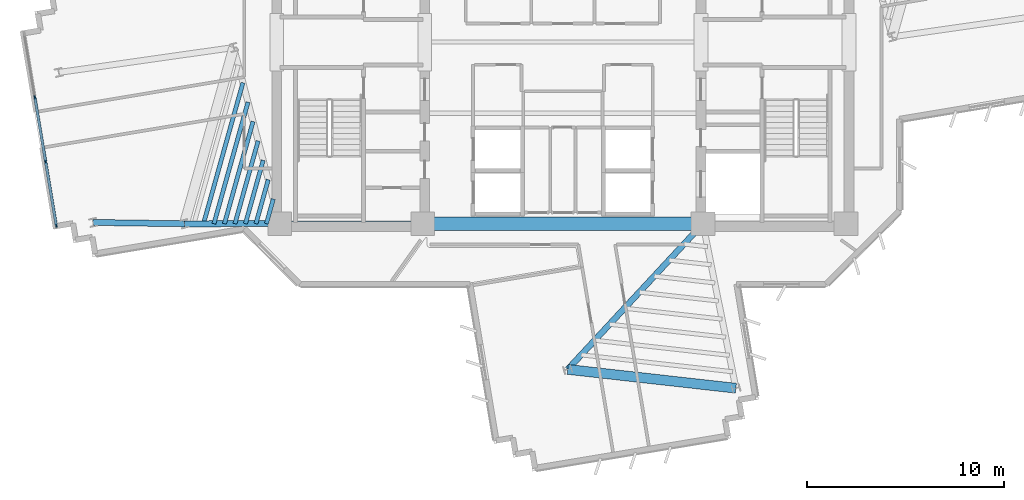
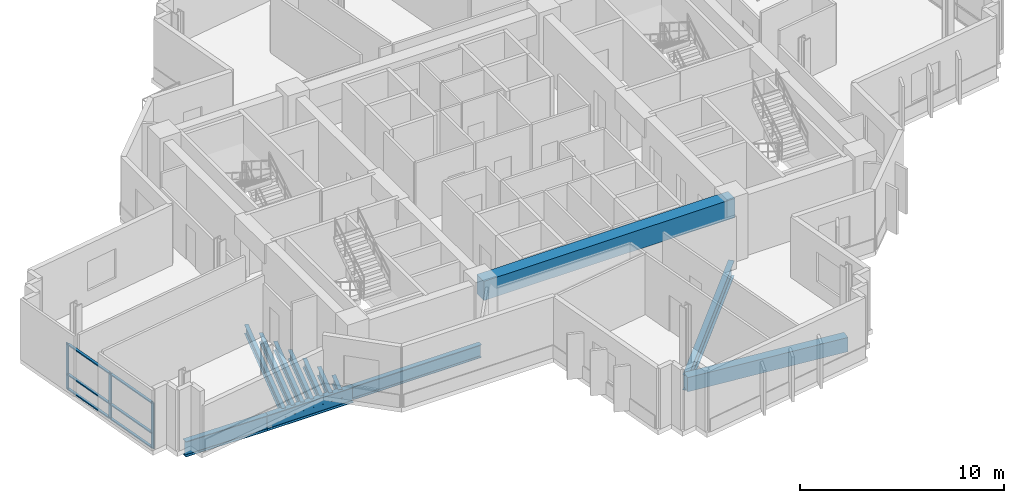
# One storey, part 2 of 15: 13 beams, 9 members, 1 element without a shape of its own.
"""IFC4 building model written with IfcOpenShell, lengths in metres."""

from ifc_helpers import new_model, si_unit, direction, frame, origin, origin_2d, place, context, subcontext, project, spatial, rectangle, i_section, extrude, source, transform, mapped, material, layer, layer_set, material_profile, profile_set, type_object, element, aggregate, save


model = new_model("IFC4")

# Units and contexts
model_context = context("Model", 3, precision=1e-05, world=origin(), true_north=direction((0.0, 1.0)))
body_context = subcontext(model_context, "Body", "Model", "MODEL_VIEW")
ifc_project = project(units=[si_unit("LENGTHUNIT", "METRE"), si_unit("AREAUNIT", "SQUARE_METRE"), si_unit("VOLUMEUNIT", "CUBIC_METRE"), si_unit("PLANEANGLEUNIT", "RADIAN"), si_unit("MASSUNIT", "GRAM", prefix="KILO")], contexts=[model_context])

# Site, building, storey
site_placement = place(None, origin())
site = spatial("IfcSite", under=ifc_project, at=site_placement, CompositionType="ELEMENT")
building_placement = place(site_placement, origin())
building = spatial("IfcBuilding", under=site, at=building_placement, Name="Zahravan Cultural Tower", CompositionType="ELEMENT")
storey_placement = place(building_placement, frame((0.0, 0.0, 143.39990234375)))
storey = spatial("IfcBuildingStorey", under=building, at=storey_placement, Name="L32", CompositionType="ELEMENT", Elevation=143.39990234375)

# Beams
ifc_material_1 = material(Name="Concrete C50/60", Category="concrete")
ifc_material_profile_1 = material_profile(ifc_material_1, rectangle(XDim=0.699951171875, YDim=1.14990234375, at=origin_2d()), Name="RC700X1150")
ifc_profile_set_1 = profile_set([ifc_material_profile_1], Name="Concrete C50/60")
beam_type_1 = type_object("IfcBeamType", Name="BM-LN-RC700X1150", PredefinedType="LINTEL", material=ifc_profile_set_1)
shared_shape_1 = source(origin(), body_context, "Body", "SweptSolid", [
    extrude(rectangle(XDim=0.699951171875, YDim=1.14990234375, at=origin_2d()), origin(), (0.0, 0.0, 1.0), 14.2001953125),
])
beam_1_placement = place(storey_placement, frame((28.89990234375, 17.800048828125, 3.045166015625), z_axis=(1.0, 0.0, 0.0), x_axis=(0.0, 1.0, 0.0)))
element("IfcBeam", 1, at=beam_1_placement, inside=storey, type_object=beam_type_1, Name="L32 Beam LN-L32-S", PredefinedType="LINTEL", context=body_context, shape_type="MappedRepresentation", body=[
    mapped(shared_shape_1, transform((0.0, 0.0, 0.0), x_axis=(1.0, 0.0, 0.0), y_axis=(0.0, 1.0, 0.0), z_axis=(0.0, 0.0, 1.0), scale=1.0)),
])
ifc_material_2 = material(Name="Steel ASTM A992 Grade 50", Category="steel")
ifc_material_profile_2 = material_profile(ifc_material_2, i_section(OverallWidth=0.26611328125, OverallDepth=0.780029296875, WebThickness=0.0166015625, FlangeThickness=0.030029296875, FilletRadius=0.01904296875, at=origin_2d()), Name="W30X148")
ifc_profile_set_2 = profile_set([ifc_material_profile_2], Name="Steel ASTM A992 Grade 50")
beam_type_2 = type_object("IfcBeamType", Name="BM-G-W30X148", PredefinedType="BEAM", material=ifc_profile_set_2)
shared_shape_2 = source(origin(), body_context, "Body", "SweptSolid", [
    extrude(i_section(OverallWidth=0.26611328125, OverallDepth=0.780029296875, WebThickness=0.0166015625, FlangeThickness=0.030029296875, FilletRadius=0.01904296875, at=origin_2d()), origin(), (0.0, 0.0, 1.0), 7.25),
])
beam_2_placement = place(storey_placement, frame((21.64990234375, 17.800048828125, -0.669921875), z_axis=(1.0, 0.0, 0.0), x_axis=(0.0, 1.0, 0.0)))
element("IfcBeam", 2, at=beam_2_placement, inside=storey, type_object=beam_type_2, Name="L32 Beam BG-L32-01", PredefinedType="BEAM", context=body_context, shape_type="MappedRepresentation", body=[
    mapped(shared_shape_2, transform((0.0, 0.0, 0.0), x_axis=(1.0, 0.0, 0.0), y_axis=(0.0, 1.0, 0.0), z_axis=(0.0, 0.0, 1.0), scale=1.0)),
])
ifc_material_profile_3 = material_profile(ifc_material_2, i_section(OverallWidth=0.304931640625, OverallDepth=0.9189453125, WebThickness=0.017333984375, FlangeThickness=0.02783203125, FilletRadius=0.02392578125, at=origin_2d()), Name="W36X170")
ifc_profile_set_3 = profile_set([ifc_material_profile_3], Name="Steel ASTM A992 Grade 50")
beam_type_3 = type_object("IfcBeamType", Name="BM-G-W36X170", PredefinedType="BEAM", material=ifc_profile_set_3)
shared_shape_3 = source(origin(), body_context, "Body", "SweptSolid", [
    extrude(i_section(OverallWidth=0.304931640625, OverallDepth=0.9189453125, WebThickness=0.017333984375, FlangeThickness=0.02783203125, FilletRadius=0.02392578125, at=origin_2d()), origin(), (0.0, 0.0, 1.0), 4.834716796875),
])
beam_3_placement = place(storey_placement, frame((21.64990234375, 17.800048828125, -0.739501953125), z_axis=(-0.99999920313, -0.001262433979, 0.0), x_axis=(0.001262433979, -0.99999920313, 0.0)))
element("IfcBeam", 3, at=beam_3_placement, inside=storey, type_object=beam_type_3, Name="L32 Beam BG-L32-08", PredefinedType="BEAM", context=body_context, shape_type="MappedRepresentation", body=[
    mapped(shared_shape_3, transform((0.0, 0.0, 0.0), x_axis=(1.0, 0.0, 0.0), y_axis=(0.0, 1.0, 0.0), z_axis=(0.0, 0.0, 1.0), scale=1.0)),
])
shared_shape_4 = source(origin(), body_context, "Body", "SweptSolid", [
    extrude(i_section(OverallWidth=0.304931640625, OverallDepth=0.9189453125, WebThickness=0.017333984375, FlangeThickness=0.02783203125, FilletRadius=0.02392578125, at=origin_2d()), origin(), (0.0, 0.0, 1.0), 10.077880859375),
])
beam_4_placement = place(storey_placement, frame((43.10009765625, 17.800048828125, -0.739501953125), z_axis=(-0.680170435587, -0.733054007938, 0.0), x_axis=(0.733054007938, -0.680170435587, 0.0)))
element("IfcBeam", 4, at=beam_4_placement, inside=storey, type_object=beam_type_3, Name="L32 Beam BG-L32-09", PredefinedType="BEAM", context=body_context, shape_type="MappedRepresentation", body=[
    mapped(shared_shape_4, transform((0.0, 0.0, 0.0), x_axis=(1.0, 0.0, 0.0), y_axis=(0.0, 1.0, 0.0), z_axis=(0.0, 0.0, 1.0), scale=1.0)),
])
shared_shape_5 = source(origin(), body_context, "Body", "SweptSolid", [
    extrude(i_section(OverallWidth=0.304931640625, OverallDepth=0.9189453125, WebThickness=0.017333984375, FlangeThickness=0.02783203125, FilletRadius=0.02392578125, at=origin_2d()), origin(), (0.0, 0.0, 1.0), 4.622314453125),
])
beam_5_placement = place(storey_placement, frame((16.815185546875, 17.7939453125, -0.739501953125), z_axis=(-0.999889070044, 0.014894549562, 0.0), x_axis=(-0.014894549562, -0.999889070044, 0.0)))
element("IfcBeam", 5, at=beam_5_placement, inside=storey, type_object=beam_type_3, Name="L32 Beam BG-L32-18", PredefinedType="BEAM", context=body_context, shape_type="MappedRepresentation", body=[
    mapped(shared_shape_5, transform((0.0, 0.0, 0.0), x_axis=(1.0, 0.0, 0.0), y_axis=(0.0, 1.0, 0.0), z_axis=(0.0, 0.0, 1.0), scale=1.0)),
])
ifc_material_profile_4 = material_profile(ifc_material_1, rectangle(XDim=0.5, YDim=0.85009765625, at=origin_2d()), Name="RC500X850")
ifc_profile_set_4 = profile_set([ifc_material_profile_4], Name="Concrete C50/60")
beam_type_4 = type_object("IfcBeamType", Name="BM-SP-RC500X850", PredefinedType="SPANDREL", material=ifc_profile_set_4)
shared_shape_6 = source(origin(), body_context, "Body", "SweptSolid", [
    extrude(rectangle(XDim=0.5, YDim=0.85009765625, at=origin_2d()), origin(), (0.0, 0.0, 1.0), 8.579833984375),
])
beam_6_placement = place(storey_placement, frame((36.245361328125, 10.412353515625, -0.704833984375), z_axis=(0.9938040105, -0.11114669907, 0.0), x_axis=(0.11114669907, 0.9938040105, 0.0)))
element("IfcBeam", 6, at=beam_6_placement, inside=storey, type_object=beam_type_4, Name="L32 Beam SP-L32-20", PredefinedType="SPANDREL", context=body_context, shape_type="MappedRepresentation", body=[
    mapped(shared_shape_6, transform((0.0, 0.0, 0.0), x_axis=(1.0, 0.0, 0.0), y_axis=(0.0, 1.0, 0.0), z_axis=(0.0, 0.0, 1.0), scale=1.0)),
])
ifc_material_profile_5 = material_profile(ifc_material_2, i_section(OverallWidth=0.2099609375, OverallDepth=0.532958984375, WebThickness=0.01025390625, FlangeThickness=0.015625, FilletRadius=0.013916015625, at=origin_2d()), Name="W21X62")
ifc_profile_set_5 = profile_set([ifc_material_profile_5], Name="Steel ASTM A992 Grade 50")
beam_type_5 = type_object("IfcBeamType", Name="BM-J-W21X62", PredefinedType="JOIST", material=ifc_profile_set_5)
shared_shape_7 = source(origin(), body_context, "Body", "SweptSolid", [
    extrude(i_section(OverallWidth=0.2099609375, OverallDepth=0.532958984375, WebThickness=0.01025390625, FlangeThickness=0.015625, FilletRadius=0.013916015625, at=origin_2d()), origin(), (0.0, 0.0, 1.0), 1.299072265625),
])
beam_7_placement = place(storey_placement, frame((21.3232421875, 19.050048828125, -0.54638671875), z_axis=(-0.269504444708, -0.962999145525, 0.0), x_axis=(0.962999145525, -0.269504444708, 0.0)))
element("IfcBeam", 7, at=beam_7_placement, inside=storey, type_object=beam_type_5, Name="L32 Beam BJ-L32-26", PredefinedType="JOIST", context=body_context, shape_type="MappedRepresentation", body=[
    mapped(shared_shape_7, transform((0.0, 0.0, 0.0), x_axis=(1.0, 0.0, 0.0), y_axis=(0.0, 1.0, 0.0), z_axis=(0.0, 0.0, 1.0), scale=1.0)),
])
shared_shape_8 = source(origin(), body_context, "Body", "SweptSolid", [
    extrude(i_section(OverallWidth=0.2099609375, OverallDepth=0.532958984375, WebThickness=0.01025390625, FlangeThickness=0.015625, FilletRadius=0.013916015625, at=origin_2d()), origin(), (0.0, 0.0, 1.0), 2.3193359375),
])
beam_8_placement = place(storey_placement, frame((21.06640625, 20.0322265625, -0.54638671875), z_axis=(-0.269462038626, -0.963011012263, 0.0), x_axis=(0.963011012263, -0.269462038626, 0.0)))
element("IfcBeam", 8, at=beam_8_placement, inside=storey, type_object=beam_type_5, Name="L32 Beam BJ-L32-27", PredefinedType="JOIST", context=body_context, shape_type="MappedRepresentation", body=[
    mapped(shared_shape_8, transform((0.0, 0.0, 0.0), x_axis=(1.0, 0.0, 0.0), y_axis=(0.0, 1.0, 0.0), z_axis=(0.0, 0.0, 1.0), scale=1.0)),
])
shared_shape_9 = source(origin(), body_context, "Body", "SweptSolid", [
    extrude(i_section(OverallWidth=0.2099609375, OverallDepth=0.532958984375, WebThickness=0.01025390625, FlangeThickness=0.015625, FilletRadius=0.013916015625, at=origin_2d()), origin(), (0.0, 0.0, 1.0), 3.340087890625),
])
beam_9_placement = place(storey_placement, frame((20.809814453125, 21.014404296875, -0.54638671875), z_axis=(-0.269562146951, -0.962982995141, 0.0), x_axis=(0.962982995141, -0.269562146951, 0.0)))
element("IfcBeam", 9, at=beam_9_placement, inside=storey, type_object=beam_type_5, Name="L32 Beam BJ-L32-28", PredefinedType="JOIST", context=body_context, shape_type="MappedRepresentation", body=[
    mapped(shared_shape_9, transform((0.0, 0.0, 0.0), x_axis=(1.0, 0.0, 0.0), y_axis=(0.0, 1.0, 0.0), z_axis=(0.0, 0.0, 1.0), scale=1.0)),
])
shared_shape_10 = source(origin(), body_context, "Body", "SweptSolid", [
    extrude(i_section(OverallWidth=0.2099609375, OverallDepth=0.532958984375, WebThickness=0.01025390625, FlangeThickness=0.015625, FilletRadius=0.013916015625, at=origin_2d()), origin(), (0.0, 0.0, 1.0), 4.36083984375),
])
beam_10_placement = place(storey_placement, frame((20.552978515625, 21.99658203125, -0.54638671875), z_axis=(-0.269511557673, -0.962997154866, 0.0), x_axis=(0.962997154866, -0.269511557673, 0.0)))
element("IfcBeam", 10, at=beam_10_placement, inside=storey, type_object=beam_type_5, Name="L32 Beam BJ-L32-29", PredefinedType="JOIST", context=body_context, shape_type="MappedRepresentation", body=[
    mapped(shared_shape_10, transform((0.0, 0.0, 0.0), x_axis=(1.0, 0.0, 0.0), y_axis=(0.0, 1.0, 0.0), z_axis=(0.0, 0.0, 1.0), scale=1.0)),
])
shared_shape_11 = source(origin(), body_context, "Body", "SweptSolid", [
    extrude(i_section(OverallWidth=0.2099609375, OverallDepth=0.532958984375, WebThickness=0.01025390625, FlangeThickness=0.015625, FilletRadius=0.013916015625, at=origin_2d()), origin(), (0.0, 0.0, 1.0), 5.3818359375),
])
beam_11_placement = place(storey_placement, frame((20.296142578125, 22.97900390625, -0.54638671875), z_axis=(-0.269510454638, -0.962997463569, 0.0), x_axis=(0.962997463569, -0.269510454638, 0.0)))
element("IfcBeam", 11, at=beam_11_placement, inside=storey, type_object=beam_type_5, Name="L32 Beam BJ-L32-30", PredefinedType="JOIST", context=body_context, shape_type="MappedRepresentation", body=[
    mapped(shared_shape_11, transform((0.0, 0.0, 0.0), x_axis=(1.0, 0.0, 0.0), y_axis=(0.0, 1.0, 0.0), z_axis=(0.0, 0.0, 1.0), scale=1.0)),
])
shared_shape_12 = source(origin(), body_context, "Body", "SweptSolid", [
    extrude(i_section(OverallWidth=0.2099609375, OverallDepth=0.532958984375, WebThickness=0.01025390625, FlangeThickness=0.015625, FilletRadius=0.013916015625, at=origin_2d()), origin(), (0.0, 0.0, 1.0), 6.402099609375),
])
beam_12_placement = place(storey_placement, frame((20.039306640625, 23.961181640625, -0.54638671875), z_axis=(-0.269494133533, -0.963002031146, 0.0), x_axis=(0.963002031146, -0.269494133533, 0.0)))
element("IfcBeam", 12, at=beam_12_placement, inside=storey, type_object=beam_type_5, Name="L32 Beam BJ-L32-31", PredefinedType="JOIST", context=body_context, shape_type="MappedRepresentation", body=[
    mapped(shared_shape_12, transform((0.0, 0.0, 0.0), x_axis=(1.0, 0.0, 0.0), y_axis=(0.0, 1.0, 0.0), z_axis=(0.0, 0.0, 1.0), scale=1.0)),
])
shared_shape_13 = source(origin(), body_context, "Body", "SweptSolid", [
    extrude(i_section(OverallWidth=0.2099609375, OverallDepth=0.532958984375, WebThickness=0.01025390625, FlangeThickness=0.015625, FilletRadius=0.013916015625, at=origin_2d()), origin(), (0.0, 0.0, 1.0), 7.4228515625),
])
beam_13_placement = place(storey_placement, frame((19.78271484375, 24.943359375, -0.54638671875), z_axis=(-0.269504266128, -0.962999195503, 0.0), x_axis=(0.962999195503, -0.269504266128, 0.0)))
element("IfcBeam", 13, at=beam_13_placement, inside=storey, type_object=beam_type_5, Name="L32 Beam BJ-L32-32", PredefinedType="JOIST", context=body_context, shape_type="MappedRepresentation", body=[
    mapped(shared_shape_13, transform((0.0, 0.0, 0.0), x_axis=(1.0, 0.0, 0.0), y_axis=(0.0, 1.0, 0.0), z_axis=(0.0, 0.0, 1.0), scale=1.0)),
])

# Curtain wall, members
ifc_material_3 = material(Name="Anodised bronze-aluminium mullion", Category="aluminium")
ifc_layer = layer(ifc_material_3, 0.179931640625)
ifc_layer_set = layer_set([ifc_layer], Name="Anodised bronze-aluminium mullion")
curtain_wall_type = type_object("IfcCurtainWallType", Name="CW-SYS-3", PredefinedType="USERDEFINED", material=ifc_layer_set)
curtain_wall_placement = place(storey_placement, origin())
curtain_wall = element("IfcCurtainWall", 14, at=curtain_wall_placement, inside=storey, type_object=curtain_wall_type, Name="L32 Recessed Curtain Wall CW-3.2", ObjectType="RECESSED GLAZING", PredefinedType="USERDEFINED")
ifc_material_profile_6 = material_profile(ifc_material_3, rectangle(XDim=0.070068359375, YDim=0.179931640625, at=origin_2d()), Name="AL-M70X180")
ifc_profile_set_6 = profile_set([ifc_material_profile_6], Name="Anodised bronze-aluminium mullion")
member_type_1 = type_object("IfcMemberType", Name="CWM-CW-3", PredefinedType="MULLION", material=ifc_profile_set_6)
shared_shape_14 = source(origin(), body_context, "Body", "SweptSolid", [
    extrude(rectangle(XDim=0.070068359375, YDim=0.179931640625, at=origin_2d()), origin(), (0.0, 0.0, 1.0), 2.739990234375),
])
member_1_placement = place(storey_placement, frame((10.3212890625, 17.70947265625, 0.0), z_axis=(0.0, 0.0, 1.0), x_axis=(-0.986285000163, -0.165051199491, 0.0)))
member_1 = element("IfcMember", 15, at=member_1_placement, type_object=member_type_1, Name="CW-3 mullion 1", PredefinedType="MULLION", context=body_context, shape_type="MappedRepresentation", body=[
    mapped(shared_shape_14, transform((0.0, 0.0, 0.0), x_axis=(1.0, 0.0, 0.0), y_axis=(0.0, 1.0, 0.0), z_axis=(0.0, 0.0, 1.0), scale=1.0)),
])
member_2_placement = place(storey_placement, frame((9.78125, 20.936279296875, 0.0), z_axis=(0.0, 0.0, 1.0), x_axis=(-0.986285000163, -0.165051199491, 0.0)))
member_2 = element("IfcMember", 16, at=member_2_placement, type_object=member_type_1, Name="CW-3 mullion 2", PredefinedType="MULLION", context=body_context, shape_type="MappedRepresentation", body=[
    mapped(shared_shape_14, transform((0.0, 0.0, 0.0), x_axis=(1.0, 0.0, 0.0), y_axis=(0.0, 1.0, 0.0), z_axis=(0.0, 0.0, 1.0), scale=1.0)),
])
member_3_placement = place(storey_placement, frame((9.2353515625, 24.197509765625, 0.0), z_axis=(0.0, 0.0, 1.0), x_axis=(-0.986285000163, -0.165051199491, 0.0)))
member_3 = element("IfcMember", 17, at=member_3_placement, type_object=member_type_1, Name="CW-3 mullion 3", PredefinedType="MULLION", context=body_context, shape_type="MappedRepresentation", body=[
    mapped(shared_shape_14, transform((0.0, 0.0, 0.0), x_axis=(1.0, 0.0, 0.0), y_axis=(0.0, 1.0, 0.0), z_axis=(0.0, 0.0, 1.0), scale=1.0)),
])
ifc_material_profile_7 = material_profile(ifc_material_3, rectangle(XDim=0.139892578125, YDim=0.070068359375, at=origin_2d()), Name="AL-T70X140")
ifc_profile_set_7 = profile_set([ifc_material_profile_7], Name="Anodised bronze-aluminium mullion")
member_type_2 = type_object("IfcMemberType", Name="CWT-CW-3", PredefinedType="USERDEFINED", material=ifc_profile_set_7)
shared_shape_15 = source(origin(), body_context, "Body", "SweptSolid", [
    extrude(rectangle(XDim=0.139892578125, YDim=0.070068359375, at=origin_2d()), origin(), (0.0, 0.0, 1.0), 3.20166015625),
])
member_4_placement = place(storey_placement, frame((10.3154296875, 17.743896484375, 0.03515625), z_axis=(-0.165017244129, 0.986290681868, 0.0), x_axis=(-0.986290681868, -0.165017244129, 0.0)))
member_4 = element("IfcMember", 18, at=member_4_placement, type_object=member_type_2, Name="CW-3 transom 1.1", ObjectType="TRANSOM", PredefinedType="USERDEFINED", context=body_context, shape_type="MappedRepresentation", body=[
    mapped(shared_shape_15, transform((0.0, 0.0, 0.0), x_axis=(1.0, 0.0, 0.0), y_axis=(0.0, 1.0, 0.0), z_axis=(0.0, 0.0, 1.0), scale=1.0)),
])
member_5_placement = place(storey_placement, frame((10.3154296875, 17.743896484375, 0.900146484375), z_axis=(-0.165017244129, 0.986290681868, 0.0), x_axis=(-0.986290681868, -0.165017244129, 0.0)))
member_5 = element("IfcMember", 19, at=member_5_placement, type_object=member_type_2, Name="CW-3 transom 1.2", ObjectType="TRANSOM", PredefinedType="USERDEFINED", context=body_context, shape_type="MappedRepresentation", body=[
    mapped(shared_shape_15, transform((0.0, 0.0, 0.0), x_axis=(1.0, 0.0, 0.0), y_axis=(0.0, 1.0, 0.0), z_axis=(0.0, 0.0, 1.0), scale=1.0)),
])
member_6_placement = place(storey_placement, frame((10.3154296875, 17.743896484375, 2.705078125), z_axis=(-0.165017244129, 0.986290681868, 0.0), x_axis=(-0.986290681868, -0.165017244129, 0.0)))
member_6 = element("IfcMember", 20, at=member_6_placement, type_object=member_type_2, Name="CW-3 transom 1.3", ObjectType="TRANSOM", PredefinedType="USERDEFINED", context=body_context, shape_type="MappedRepresentation", body=[
    mapped(shared_shape_15, transform((0.0, 0.0, 0.0), x_axis=(1.0, 0.0, 0.0), y_axis=(0.0, 1.0, 0.0), z_axis=(0.0, 0.0, 1.0), scale=1.0)),
])
shared_shape_16 = source(origin(), body_context, "Body", "SweptSolid", [
    extrude(rectangle(XDim=0.139892578125, YDim=0.070068359375, at=origin_2d()), origin(), (0.0, 0.0, 1.0), 3.23681640625),
])
member_7_placement = place(storey_placement, frame((9.775390625, 20.970703125, 0.03515625), z_axis=(-0.165034988957, 0.9862877128, 0.0), x_axis=(-0.9862877128, -0.165034988957, 0.0)))
member_7 = element("IfcMember", 21, at=member_7_placement, type_object=member_type_2, Name="CW-3 transom 2.1", ObjectType="TRANSOM", PredefinedType="USERDEFINED", context=body_context, shape_type="MappedRepresentation", body=[
    mapped(shared_shape_16, transform((0.0, 0.0, 0.0), x_axis=(1.0, 0.0, 0.0), y_axis=(0.0, 1.0, 0.0), z_axis=(0.0, 0.0, 1.0), scale=1.0)),
])
member_8_placement = place(storey_placement, frame((9.775390625, 20.970703125, 0.900146484375), z_axis=(-0.165034988957, 0.9862877128, 0.0), x_axis=(-0.9862877128, -0.165034988957, 0.0)))
member_8 = element("IfcMember", 22, at=member_8_placement, type_object=member_type_2, Name="CW-3 transom 2.2", ObjectType="TRANSOM", PredefinedType="USERDEFINED", context=body_context, shape_type="MappedRepresentation", body=[
    mapped(shared_shape_16, transform((0.0, 0.0, 0.0), x_axis=(1.0, 0.0, 0.0), y_axis=(0.0, 1.0, 0.0), z_axis=(0.0, 0.0, 1.0), scale=1.0)),
])
member_9_placement = place(storey_placement, frame((9.775390625, 20.970703125, 2.705078125), z_axis=(-0.165034988957, 0.9862877128, 0.0), x_axis=(-0.9862877128, -0.165034988957, 0.0)))
member_9 = element("IfcMember", 23, at=member_9_placement, type_object=member_type_2, Name="CW-3 transom 2.3", ObjectType="TRANSOM", PredefinedType="USERDEFINED", context=body_context, shape_type="MappedRepresentation", body=[
    mapped(shared_shape_16, transform((0.0, 0.0, 0.0), x_axis=(1.0, 0.0, 0.0), y_axis=(0.0, 1.0, 0.0), z_axis=(0.0, 0.0, 1.0), scale=1.0)),
])
aggregate(curtain_wall, [member_1, member_2, member_3, member_4, member_5, member_6, member_7, member_8, member_9])

save(model, "model.ifc")
